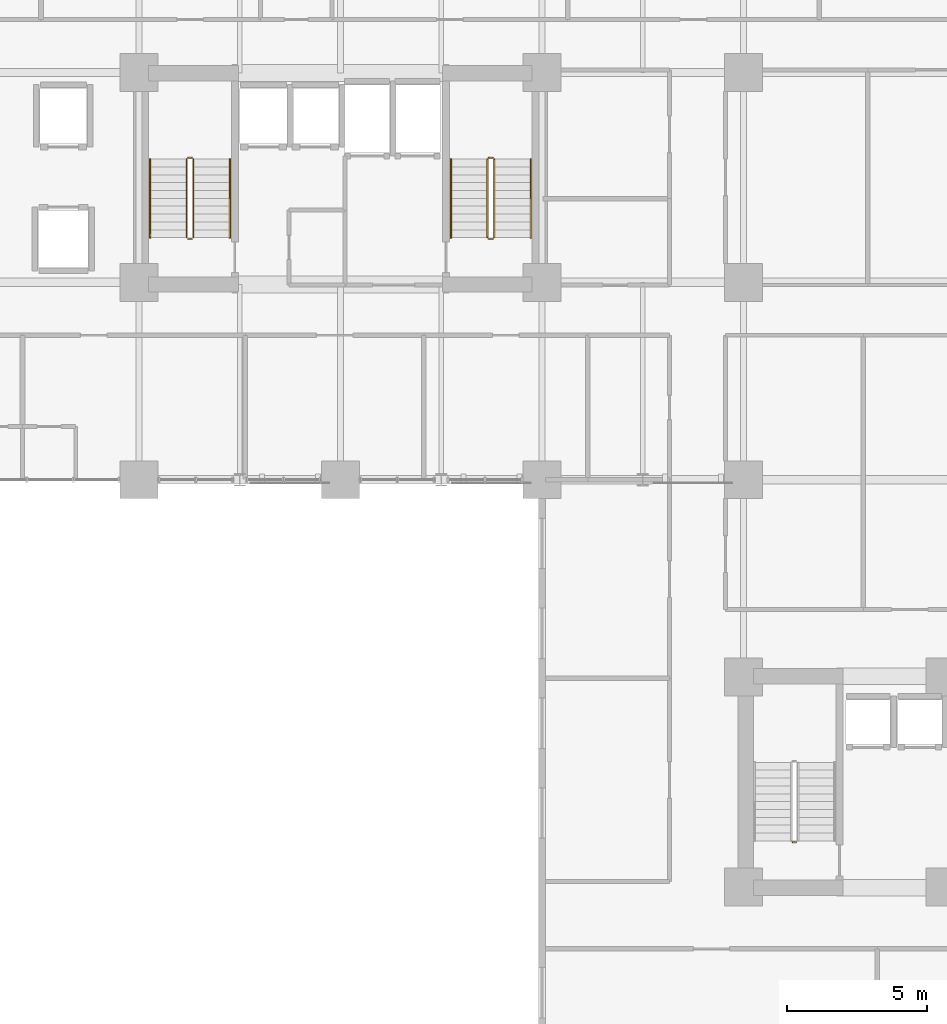
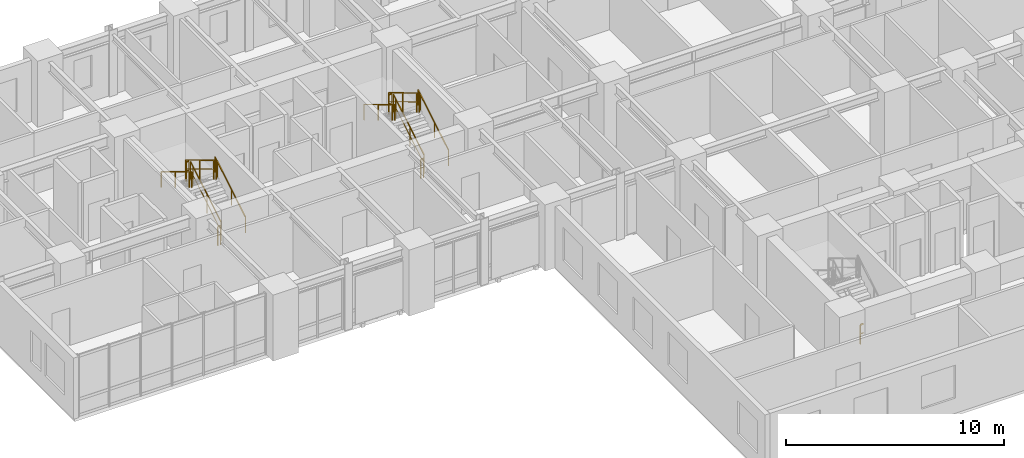
# One storey, part 14 of 16: 13 railings.
"""IFC4 building model written with IfcOpenShell, lengths in metres."""

from ifc_helpers import new_model, si_unit, direction, frame, origin, origin_2d, place, context, subcontext, project, spatial, rectangle, extrude, material, type_object, element, save


model = new_model("IFC4")

# Units and contexts
model_context = context("Model", 3, precision=1e-05, world=origin(), true_north=direction((0.0, 1.0)))
body_context = subcontext(model_context, "Body", "Model", "MODEL_VIEW")
ifc_project = project(units=[si_unit("LENGTHUNIT", "METRE"), si_unit("AREAUNIT", "SQUARE_METRE"), si_unit("VOLUMEUNIT", "CUBIC_METRE"), si_unit("PLANEANGLEUNIT", "RADIAN"), si_unit("MASSUNIT", "GRAM", prefix="KILO")], contexts=[model_context])

# Site, building, storey
site_placement = place(None, origin())
site = spatial("IfcSite", under=ifc_project, at=site_placement, CompositionType="ELEMENT")
building_placement = place(site_placement, origin())
building = spatial("IfcBuilding", under=site, at=building_placement, Name="Kaliganga Portal Commons", CompositionType="ELEMENT")
storey_placement = place(building_placement, frame((0.0, 0.0, 29.0)))
storey = spatial("IfcBuildingStorey", under=building, at=storey_placement, Name="L06", CompositionType="ELEMENT", Elevation=29.0)

# Railings
ifc_material_1 = material(Name="Galvanized Painted Steel Balustrade", Category="steel")
railing_type_1 = type_object("IfcRailingType", Name="RLG-STAIR-GRD", PredefinedType="GUARDRAIL", material=ifc_material_1)
railing_1_placement = place(storey_placement, frame((16.35009765625, 30.25, 0.168212890625)))
element("IfcRailing", 1, at=railing_1_placement, inside=storey, type_object=railing_type_1, Name="L06 ST-A1 stair guard 1", PredefinedType="GUARDRAIL", context=body_context, shape_type="SweptSolid", body=[
    extrude(rectangle(XDim=0.048095703125, YDim=0.048095703125, at=origin_2d()), frame((0.0, 0.0, 1.072021484375), z_axis=(0.0, 0.857242210791, 0.514913383045), x_axis=(-1.0, 0.0, 0.0)), (0.0, 0.0, 1.0), 3.266357421875),
    extrude(rectangle(XDim=0.028076171875, YDim=0.028076171875, at=origin_2d()), frame((0.0, 0.0, 0.572021484375), z_axis=(0.0, 0.857242210791, 0.514913383045), x_axis=(-1.0, 0.0, 0.0)), (0.0, 0.0, 1.0), 3.266357421875),
    extrude(rectangle(XDim=0.0419921875, YDim=0.0419921875, at=origin_2d()), origin(), (0.0, 0.0, 1.0), 1.052001953125),
    extrude(rectangle(XDim=0.0419921875, YDim=0.0419921875, at=origin_2d()), frame((0.0, 1.285888671875, 0.7724609375)), (0.0, 0.0, 1.0), 1.052001953125),
    extrude(rectangle(XDim=0.0419921875, YDim=0.0419921875, at=origin_2d()), frame((0.0, 2.57177734375, 1.544677734375)), (0.0, 0.0, 1.0), 1.052001953125),
    extrude(rectangle(XDim=0.0419921875, YDim=0.0419921875, at=origin_2d()), frame((0.0, 2.800048828125, 1.681884765625)), (0.0, 0.0, 1.0), 1.052001953125),
])
railing_2_placement = place(storey_placement, frame((16.300048828125, 33.10009765625, 1.85009765625)))
element("IfcRailing", 2, at=railing_2_placement, inside=storey, type_object=railing_type_1, Name="L06 ST-A1 stair guard 2", PredefinedType="GUARDRAIL", context=body_context, shape_type="SweptSolid", body=[
    extrude(rectangle(XDim=0.048095703125, YDim=0.048095703125, at=origin_2d()), frame((0.0, 0.0, 1.076171875), z_axis=(-1.0, 0.0, 0.0), x_axis=(0.0, -1.0, 0.0)), (0.0, 0.0, 1.0), 0.150146484375),
    extrude(rectangle(XDim=0.028076171875, YDim=0.028076171875, at=origin_2d()), frame((0.0, 0.0, 0.572021484375), z_axis=(-1.0, 0.0, 0.0), x_axis=(0.0, -1.0, 0.0)), (0.0, 0.0, 1.0), 0.150146484375),
    extrude(rectangle(XDim=0.0419921875, YDim=0.0419921875, at=origin_2d()), origin(), (0.0, 0.0, 1.0), 1.052001953125),
    extrude(rectangle(XDim=0.0419921875, YDim=0.0419921875, at=origin_2d()), frame((-0.150146484375, 0.0, 0.0)), (0.0, 0.0, 1.0), 1.052001953125),
])
railing_3_placement = place(storey_placement, frame((16.10009765625, 33.050048828125, 2.01806640625)))
element("IfcRailing", 3, at=railing_3_placement, inside=storey, type_object=railing_type_1, Name="L06 ST-A1 stair guard 3", PredefinedType="GUARDRAIL", context=body_context, shape_type="SweptSolid", body=[
    extrude(rectangle(XDim=0.048095703125, YDim=0.048095703125, at=origin_2d()), frame((0.0, 0.0, 1.072021484375), z_axis=(0.0, -0.857242210791, 0.514913383045), x_axis=(1.0, 0.0, 0.0)), (0.0, 0.0, 1.0), 3.266357421875),
    extrude(rectangle(XDim=0.028076171875, YDim=0.028076171875, at=origin_2d()), frame((0.0, 0.0, 0.572021484375), z_axis=(0.0, -0.857242210791, 0.514913383045), x_axis=(1.0, 0.0, 0.0)), (0.0, 0.0, 1.0), 3.266357421875),
    extrude(rectangle(XDim=0.0419921875, YDim=0.0419921875, at=origin_2d()), origin(), (0.0, 0.0, 1.0), 1.052001953125),
    extrude(rectangle(XDim=0.0419921875, YDim=0.0419921875, at=origin_2d()), frame((0.0, -1.285888671875, 0.7724609375)), (0.0, 0.0, 1.0), 1.052001953125),
    extrude(rectangle(XDim=0.0419921875, YDim=0.0419921875, at=origin_2d()), frame((0.0, -2.57177734375, 1.544677734375)), (0.0, 0.0, 1.0), 1.052001953125),
    extrude(rectangle(XDim=0.0419921875, YDim=0.0419921875, at=origin_2d()), frame((0.0, -2.800048828125, 1.681884765625)), (0.0, 0.0, 1.0), 1.052001953125),
])
railing_4_placement = place(storey_placement, frame((16.300048828125, 30.199951171875, 0.0)))
element("IfcRailing", 4, at=railing_4_placement, inside=storey, type_object=railing_type_1, Name="L06 ST-A1 stair guard 4", PredefinedType="GUARDRAIL", context=body_context, shape_type="SweptSolid", body=[
    extrude(rectangle(XDim=0.048095703125, YDim=0.048095703125, at=origin_2d()), frame((0.0, 0.0, 1.076171875), z_axis=(-1.0, 0.0, 0.0), x_axis=(0.0, -1.0, 0.0)), (0.0, 0.0, 1.0), 0.150146484375),
    extrude(rectangle(XDim=0.028076171875, YDim=0.028076171875, at=origin_2d()), frame((0.0, 0.0, 0.572021484375), z_axis=(-1.0, 0.0, 0.0), x_axis=(0.0, -1.0, 0.0)), (0.0, 0.0, 1.0), 0.150146484375),
    extrude(rectangle(XDim=0.0419921875, YDim=0.0419921875, at=origin_2d()), origin(), (0.0, 0.0, 1.0), 1.052001953125),
    extrude(rectangle(XDim=0.0419921875, YDim=0.0419921875, at=origin_2d()), frame((-0.150146484375, 0.0, 0.0)), (0.0, 0.0, 1.0), 1.052001953125),
])
railing_5_placement = place(storey_placement, frame((27.10009765625, 30.25, 0.168212890625)))
element("IfcRailing", 5, at=railing_5_placement, inside=storey, type_object=railing_type_1, Name="L06 ST-A2 stair guard 1", PredefinedType="GUARDRAIL", context=body_context, shape_type="SweptSolid", body=[
    extrude(rectangle(XDim=0.048095703125, YDim=0.048095703125, at=origin_2d()), frame((0.0, 0.0, 1.072021484375), z_axis=(0.0, 0.857242210791, 0.514913383045), x_axis=(-1.0, 0.0, 0.0)), (0.0, 0.0, 1.0), 3.266357421875),
    extrude(rectangle(XDim=0.028076171875, YDim=0.028076171875, at=origin_2d()), frame((0.0, 0.0, 0.572021484375), z_axis=(0.0, 0.857242210791, 0.514913383045), x_axis=(-1.0, 0.0, 0.0)), (0.0, 0.0, 1.0), 3.266357421875),
    extrude(rectangle(XDim=0.0419921875, YDim=0.0419921875, at=origin_2d()), origin(), (0.0, 0.0, 1.0), 1.052001953125),
    extrude(rectangle(XDim=0.0419921875, YDim=0.0419921875, at=origin_2d()), frame((0.0, 1.285888671875, 0.7724609375)), (0.0, 0.0, 1.0), 1.052001953125),
    extrude(rectangle(XDim=0.0419921875, YDim=0.0419921875, at=origin_2d()), frame((0.0, 2.57177734375, 1.544677734375)), (0.0, 0.0, 1.0), 1.052001953125),
    extrude(rectangle(XDim=0.0419921875, YDim=0.0419921875, at=origin_2d()), frame((0.0, 2.800048828125, 1.681884765625)), (0.0, 0.0, 1.0), 1.052001953125),
])
railing_6_placement = place(storey_placement, frame((27.050048828125, 33.10009765625, 1.85009765625)))
element("IfcRailing", 6, at=railing_6_placement, inside=storey, type_object=railing_type_1, Name="L06 ST-A2 stair guard 2", PredefinedType="GUARDRAIL", context=body_context, shape_type="SweptSolid", body=[
    extrude(rectangle(XDim=0.048095703125, YDim=0.048095703125, at=origin_2d()), frame((0.0, 0.0, 1.076171875), z_axis=(-1.0, 0.0, 0.0), x_axis=(0.0, -1.0, 0.0)), (0.0, 0.0, 1.0), 0.150146484375),
    extrude(rectangle(XDim=0.028076171875, YDim=0.028076171875, at=origin_2d()), frame((0.0, 0.0, 0.572021484375), z_axis=(-1.0, 0.0, 0.0), x_axis=(0.0, -1.0, 0.0)), (0.0, 0.0, 1.0), 0.150146484375),
    extrude(rectangle(XDim=0.0419921875, YDim=0.0419921875, at=origin_2d()), origin(), (0.0, 0.0, 1.0), 1.052001953125),
    extrude(rectangle(XDim=0.0419921875, YDim=0.0419921875, at=origin_2d()), frame((-0.150146484375, 0.0, 0.0)), (0.0, 0.0, 1.0), 1.052001953125),
])
railing_7_placement = place(storey_placement, frame((26.85009765625, 33.050048828125, 2.01806640625)))
element("IfcRailing", 7, at=railing_7_placement, inside=storey, type_object=railing_type_1, Name="L06 ST-A2 stair guard 3", PredefinedType="GUARDRAIL", context=body_context, shape_type="SweptSolid", body=[
    extrude(rectangle(XDim=0.048095703125, YDim=0.048095703125, at=origin_2d()), frame((0.0, 0.0, 1.072021484375), z_axis=(0.0, -0.857242210791, 0.514913383045), x_axis=(1.0, 0.0, 0.0)), (0.0, 0.0, 1.0), 3.266357421875),
    extrude(rectangle(XDim=0.028076171875, YDim=0.028076171875, at=origin_2d()), frame((0.0, 0.0, 0.572021484375), z_axis=(0.0, -0.857242210791, 0.514913383045), x_axis=(1.0, 0.0, 0.0)), (0.0, 0.0, 1.0), 3.266357421875),
    extrude(rectangle(XDim=0.0419921875, YDim=0.0419921875, at=origin_2d()), origin(), (0.0, 0.0, 1.0), 1.052001953125),
    extrude(rectangle(XDim=0.0419921875, YDim=0.0419921875, at=origin_2d()), frame((0.0, -1.285888671875, 0.7724609375)), (0.0, 0.0, 1.0), 1.052001953125),
    extrude(rectangle(XDim=0.0419921875, YDim=0.0419921875, at=origin_2d()), frame((0.0, -2.57177734375, 1.544677734375)), (0.0, 0.0, 1.0), 1.052001953125),
    extrude(rectangle(XDim=0.0419921875, YDim=0.0419921875, at=origin_2d()), frame((0.0, -2.800048828125, 1.681884765625)), (0.0, 0.0, 1.0), 1.052001953125),
])
railing_8_placement = place(storey_placement, frame((27.050048828125, 30.199951171875, 0.0)))
element("IfcRailing", 8, at=railing_8_placement, inside=storey, type_object=railing_type_1, Name="L06 ST-A2 stair guard 4", PredefinedType="GUARDRAIL", context=body_context, shape_type="SweptSolid", body=[
    extrude(rectangle(XDim=0.048095703125, YDim=0.048095703125, at=origin_2d()), frame((0.0, 0.0, 1.076171875), z_axis=(-1.0, 0.0, 0.0), x_axis=(0.0, -1.0, 0.0)), (0.0, 0.0, 1.0), 0.150146484375),
    extrude(rectangle(XDim=0.028076171875, YDim=0.028076171875, at=origin_2d()), frame((0.0, 0.0, 0.572021484375), z_axis=(-1.0, 0.0, 0.0), x_axis=(0.0, -1.0, 0.0)), (0.0, 0.0, 1.0), 0.150146484375),
    extrude(rectangle(XDim=0.0419921875, YDim=0.0419921875, at=origin_2d()), origin(), (0.0, 0.0, 1.0), 1.052001953125),
    extrude(rectangle(XDim=0.0419921875, YDim=0.0419921875, at=origin_2d()), frame((-0.150146484375, 0.0, 0.0)), (0.0, 0.0, 1.0), 1.052001953125),
])
railing_9_placement = place(storey_placement, frame((37.89990234375, 8.64990234375, 0.0)))
element("IfcRailing", 9, at=railing_9_placement, inside=storey, type_object=railing_type_1, Name="L06 ST-B1 stair guard 4", PredefinedType="GUARDRAIL", context=body_context, shape_type="SweptSolid", body=[
    extrude(rectangle(XDim=0.048095703125, YDim=0.048095703125, at=origin_2d()), frame((0.0, 0.0, 1.076171875), z_axis=(-1.0, 0.0, 0.0), x_axis=(0.0, -1.0, 0.0)), (0.0, 0.0, 1.0), 0.14990234375),
    extrude(rectangle(XDim=0.028076171875, YDim=0.028076171875, at=origin_2d()), frame((0.0, 0.0, 0.572021484375), z_axis=(-1.0, 0.0, 0.0), x_axis=(0.0, -1.0, 0.0)), (0.0, 0.0, 1.0), 0.14990234375),
    extrude(rectangle(XDim=0.0419921875, YDim=0.0419921875, at=origin_2d()), frame((-0.14990234375, 0.0, 0.0)), (0.0, 0.0, 1.0), 1.052001953125),
])
ifc_material_2 = material(Name="Brushed Stainless Steel 316", Category="steel")
railing_type_2 = type_object("IfcRailingType", Name="RLG-STAIR-HR", PredefinedType="HANDRAIL", material=ifc_material_2)
railing_10_placement = place(storey_placement, frame((17.64990234375, 30.25, 0.168212890625)))
element("IfcRailing", 10, at=railing_10_placement, inside=storey, type_object=railing_type_2, Name="L06 ST-A1 stair handrail 1", PredefinedType="HANDRAIL", context=body_context, shape_type="SweptSolid", body=[
    extrude(rectangle(XDim=0.048095703125, YDim=0.048095703125, at=origin_2d()), frame((0.0, 0.0, 0.871826171875), z_axis=(0.0, 0.857242210791, 0.514913383045), x_axis=(-1.0, 0.0, 0.0)), (0.0, 0.0, 1.0), 3.266357421875),
    extrude(rectangle(XDim=0.0419921875, YDim=0.0419921875, at=origin_2d()), origin(), (0.0, 0.0, 1.0), 0.851806640625),
    extrude(rectangle(XDim=0.0419921875, YDim=0.0419921875, at=origin_2d()), frame((0.0, 1.285888671875, 0.7724609375)), (0.0, 0.0, 1.0), 0.851806640625),
    extrude(rectangle(XDim=0.0419921875, YDim=0.0419921875, at=origin_2d()), frame((0.0, 2.57177734375, 1.544677734375)), (0.0, 0.0, 1.0), 0.851806640625),
    extrude(rectangle(XDim=0.0419921875, YDim=0.0419921875, at=origin_2d()), frame((0.0, 2.800048828125, 1.681884765625)), (0.0, 0.0, 1.0), 0.851806640625),
])
railing_11_placement = place(storey_placement, frame((14.800048828125, 33.050048828125, 2.01806640625)))
element("IfcRailing", 11, at=railing_11_placement, inside=storey, type_object=railing_type_2, Name="L06 ST-A1 stair handrail 2", PredefinedType="HANDRAIL", context=body_context, shape_type="SweptSolid", body=[
    extrude(rectangle(XDim=0.048095703125, YDim=0.048095703125, at=origin_2d()), frame((0.0, 0.0, 0.871826171875), z_axis=(0.0, -0.857242210791, 0.514913383045), x_axis=(1.0, 0.0, 0.0)), (0.0, 0.0, 1.0), 3.266357421875),
    extrude(rectangle(XDim=0.0419921875, YDim=0.0419921875, at=origin_2d()), origin(), (0.0, 0.0, 1.0), 0.851806640625),
    extrude(rectangle(XDim=0.0419921875, YDim=0.0419921875, at=origin_2d()), frame((0.0, -1.285888671875, 0.7724609375)), (0.0, 0.0, 1.0), 0.851806640625),
    extrude(rectangle(XDim=0.0419921875, YDim=0.0419921875, at=origin_2d()), frame((0.0, -2.57177734375, 1.544677734375)), (0.0, 0.0, 1.0), 0.851806640625),
    extrude(rectangle(XDim=0.0419921875, YDim=0.0419921875, at=origin_2d()), frame((0.0, -2.800048828125, 1.681884765625)), (0.0, 0.0, 1.0), 0.851806640625),
])
railing_12_placement = place(storey_placement, frame((28.39990234375, 30.25, 0.168212890625)))
element("IfcRailing", 12, at=railing_12_placement, inside=storey, type_object=railing_type_2, Name="L06 ST-A2 stair handrail 1", PredefinedType="HANDRAIL", context=body_context, shape_type="SweptSolid", body=[
    extrude(rectangle(XDim=0.048095703125, YDim=0.048095703125, at=origin_2d()), frame((0.0, 0.0, 0.871826171875), z_axis=(0.0, 0.857242210791, 0.514913383045), x_axis=(-1.0, 0.0, 0.0)), (0.0, 0.0, 1.0), 3.266357421875),
    extrude(rectangle(XDim=0.0419921875, YDim=0.0419921875, at=origin_2d()), origin(), (0.0, 0.0, 1.0), 0.851806640625),
    extrude(rectangle(XDim=0.0419921875, YDim=0.0419921875, at=origin_2d()), frame((0.0, 1.285888671875, 0.7724609375)), (0.0, 0.0, 1.0), 0.851806640625),
    extrude(rectangle(XDim=0.0419921875, YDim=0.0419921875, at=origin_2d()), frame((0.0, 2.57177734375, 1.544677734375)), (0.0, 0.0, 1.0), 0.851806640625),
    extrude(rectangle(XDim=0.0419921875, YDim=0.0419921875, at=origin_2d()), frame((0.0, 2.800048828125, 1.681884765625)), (0.0, 0.0, 1.0), 0.851806640625),
])
railing_13_placement = place(storey_placement, frame((25.550048828125, 33.050048828125, 2.01806640625)))
element("IfcRailing", 13, at=railing_13_placement, inside=storey, type_object=railing_type_2, Name="L06 ST-A2 stair handrail 2", PredefinedType="HANDRAIL", context=body_context, shape_type="SweptSolid", body=[
    extrude(rectangle(XDim=0.048095703125, YDim=0.048095703125, at=origin_2d()), frame((0.0, 0.0, 0.871826171875), z_axis=(0.0, -0.857242210791, 0.514913383045), x_axis=(1.0, 0.0, 0.0)), (0.0, 0.0, 1.0), 3.266357421875),
    extrude(rectangle(XDim=0.0419921875, YDim=0.0419921875, at=origin_2d()), origin(), (0.0, 0.0, 1.0), 0.851806640625),
    extrude(rectangle(XDim=0.0419921875, YDim=0.0419921875, at=origin_2d()), frame((0.0, -1.285888671875, 0.7724609375)), (0.0, 0.0, 1.0), 0.851806640625),
    extrude(rectangle(XDim=0.0419921875, YDim=0.0419921875, at=origin_2d()), frame((0.0, -2.57177734375, 1.544677734375)), (0.0, 0.0, 1.0), 0.851806640625),
    extrude(rectangle(XDim=0.0419921875, YDim=0.0419921875, at=origin_2d()), frame((0.0, -2.800048828125, 1.681884765625)), (0.0, 0.0, 1.0), 0.851806640625),
])

save(model, "model.ifc")
